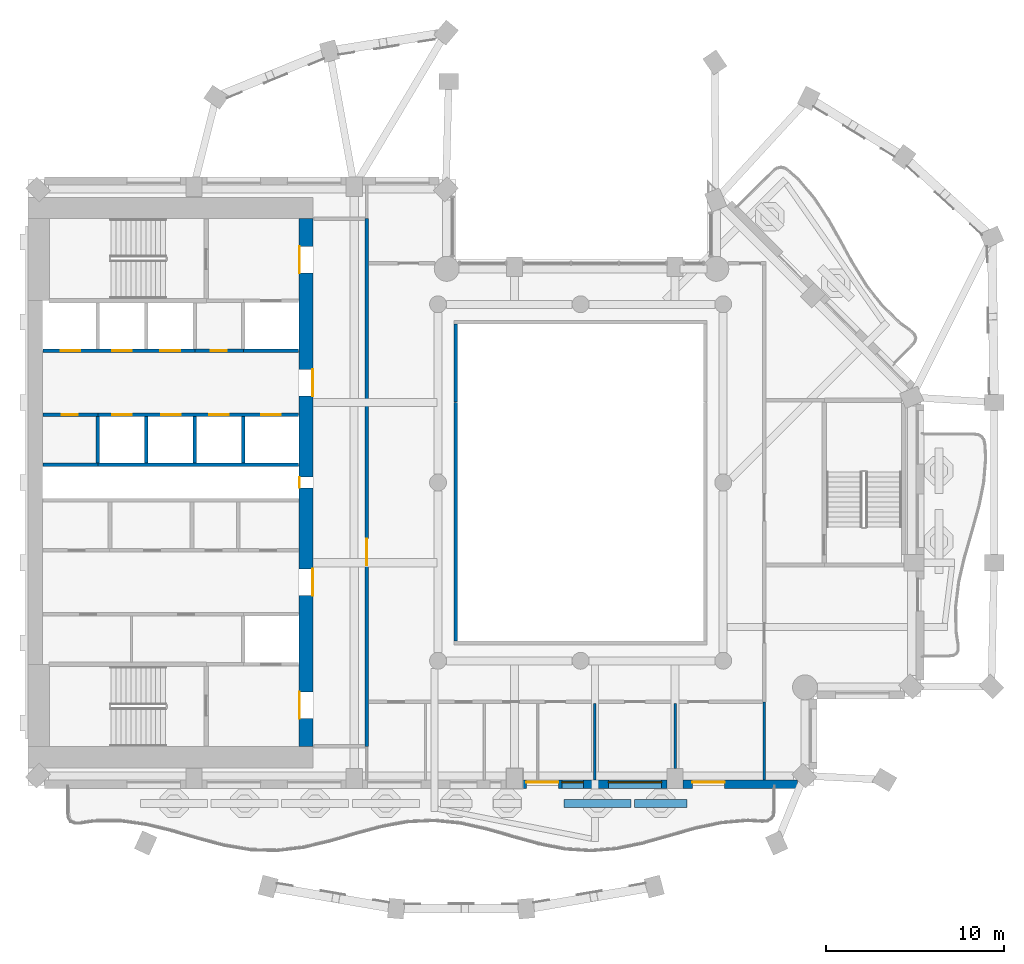
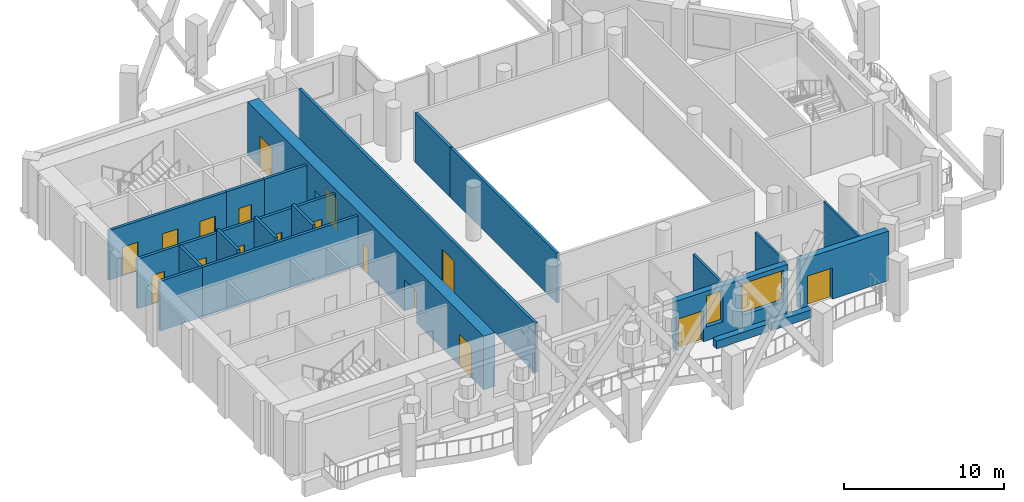
# One storey, part 5 of 16: 22 walls, 17 doors, 2 windows, 19 openings.
"""IFC4 building model written with IfcOpenShell, lengths in metres."""

from ifc_helpers import new_model, si_unit, direction, frame, frame_2d, origin, place, context, subcontext, project, spatial, rectangle, extrude, material, layer, layer_set, type_object, element, fill, save


model = new_model("IFC4")

# Units and contexts
model_context = context("Model", 3, precision=1e-05, world=origin(), true_north=direction((0.0, 1.0)))
body_context = subcontext(model_context, "Body", "Model", "MODEL_VIEW")
ifc_project = project(units=[si_unit("LENGTHUNIT", "METRE"), si_unit("AREAUNIT", "SQUARE_METRE"), si_unit("VOLUMEUNIT", "CUBIC_METRE"), si_unit("PLANEANGLEUNIT", "RADIAN"), si_unit("MASSUNIT", "GRAM", prefix="KILO")], contexts=[model_context])

# Site, building, storey
site_placement = place(None, origin())
site = spatial("IfcSite", under=ifc_project, at=site_placement, CompositionType="ELEMENT")
building_placement = place(site_placement, origin())
building = spatial("IfcBuilding", under=site, at=building_placement, Name="Cypress Arch Tower", CompositionType="ELEMENT")
storey_placement = place(building_placement, frame((0.0, 0.0, 230.199951171875)))
storey = spatial("IfcBuildingStorey", under=building, at=storey_placement, Name="L51", CompositionType="ELEMENT", Elevation=230.199951171875)

# Walls
ifc_material_1 = material(Name="Concrete C40/50, waterproofed", Category="concrete")
ifc_layer_1 = layer(ifc_material_1, 0.449951171875)
ifc_layer_set_1 = layer_set([ifc_layer_1], Name="Balcony planter wall PW450")
wall_type_1 = type_object("IfcWallType", Name="Balcony planter wall PW450", PredefinedType="SOLIDWALL", material=ifc_layer_set_1)
wall_1_placement = place(storey_placement, frame((0.070068359375, -18.0, 0.0), z_axis=(0.0, 0.0, 1.0), x_axis=(1.0, 0.0, 0.0)))
element("IfcWall", 1, at=wall_1_placement, inside=storey, type_object=wall_type_1, Name="Balcony planter wall L51-B01.7", PredefinedType="SOLIDWALL", context=body_context, shape_type="SweptSolid", body=[
    extrude(rectangle(XDim=3.760009765625, YDim=0.449951171875, at=frame_2d((1.8798828125, 0.0))), origin(), (0.0, 0.0, 1.0), 0.60009765625),
])
wall_2_placement = place(storey_placement, frame((4.030029296875, -18.0, 0.0), z_axis=(0.0, 0.0, 1.0), x_axis=(1.0, 0.0, 0.0)))
element("IfcWall", 2, at=wall_2_placement, inside=storey, type_object=wall_type_1, Name="Balcony planter wall L51-B01.8", PredefinedType="SOLIDWALL", context=body_context, shape_type="SweptSolid", body=[
    extrude(rectangle(XDim=2.945068359375, YDim=0.449951171875, at=frame_2d((1.47265625, 0.0))), origin(), (0.0, 0.0, 1.0), 0.60009765625),
])

# Wall, openings, door, windows
ifc_material_2 = material(Name="Brick (red buff blend)", Category="masonry")
ifc_layer_2 = layer(ifc_material_2, 0.449951171875)
ifc_layer_set_2 = layer_set([ifc_layer_2], Name="Brick pier and spandrel wall BW450")
wall_type_2 = type_object("IfcWallType", Name="Brick pier and spandrel wall BW450", PredefinedType="SOLIDWALL", material=ifc_layer_set_2)
wall_3_placement = place(storey_placement, frame((-2.25, -16.925048828125, 0.0), z_axis=(0.0, 0.0, 1.0), x_axis=(1.0, 0.0, 0.0)))
wall_3 = element("IfcWall", 3, at=wall_3_placement, inside=storey, type_object=wall_type_2, Name="Brick wall L51 B01.3", PredefinedType="SOLIDWALL", context=body_context, shape_type="SweptSolid", body=[
    extrude(rectangle(XDim=8.10009765625, YDim=0.449951171875, at=frame_2d((4.050048828125, 0.0))), origin(), (0.0, 0.0, 1.0), 3.800048828125),
])
opening_1_placement = place(wall_3_placement, frame((0.199951171875, 0.0, 0.0)))
opening_1 = element("IfcOpeningElement", 4, at=opening_1_placement, cuts=wall_3, Name="Opening D-L51-B01.3.1", PredefinedType="OPENING", context=body_context, shape_type="SweptSolid", body=[
    extrude(rectangle(XDim=1.800048828125, YDim=2.39990234375, at=frame_2d((0.89990234375, 1.199951171875))), frame((0.0, 0.23486328125, 0.0), z_axis=(0.0, -1.0, 0.0), x_axis=(1.0, 0.0, 0.0)), (0.0, 0.0, 1.0), 0.469970703125),
])
opening_2_placement = place(wall_3_placement, frame((2.199951171875, 0.0, 1.050048828125)))
opening_2 = element("IfcOpeningElement", 5, at=opening_2_placement, cuts=wall_3, Name="Opening W120OD", PredefinedType="OPENING", context=body_context, shape_type="SweptSolid", body=[
    extrude(rectangle(XDim=1.199951171875, YDim=2.39990234375, at=frame_2d((0.60009765625, 1.199951171875))), frame((0.0, 0.23486328125, 0.0), z_axis=(0.0, -1.0, 0.0), x_axis=(1.0, 0.0, 0.0)), (0.0, 0.0, 1.0), 0.469970703125),
])
opening_3_placement = place(wall_3_placement, frame((4.800048828125, 0.0, 1.050048828125)))
opening_3 = element("IfcOpeningElement", 6, at=opening_3_placement, cuts=wall_3, Name="Opening W300OD", PredefinedType="OPENING", context=body_context, shape_type="SweptSolid", body=[
    extrude(rectangle(XDim=3.0, YDim=2.39990234375, at=frame_2d((1.5, 1.199951171875))), frame((0.0, 0.23486328125, 0.0), z_axis=(0.0, -1.0, 0.0), x_axis=(1.0, 0.0, 0.0)), (0.0, 0.0, 1.0), 0.469970703125),
])
ifc_material_3 = material(Name="Anodised aluminium, bronze finish, laminated low-emissivity double glazing, large-missile impact rated", Category="aluminium")
door_type_1 = type_object("IfcDoorType", Name="Balcony sliding door 1800x2400", OperationType="SLIDING_TO_LEFT", PredefinedType="DOOR", material=ifc_material_3)
door_1_placement = place(opening_1_placement, origin())
door_1 = element("IfcDoor", 7, at=door_1_placement, inside=storey, type_object=door_type_1, Name="Balcony door L51 B01.3.1", OperationType="SLIDING_TO_LEFT", OverallHeight=2.39990234375, OverallWidth=1.800048828125, PredefinedType="DOOR", context=body_context, shape_type="SweptSolid", body=[
    extrude(rectangle(XDim=1.800048828125, YDim=2.39990234375, at=frame_2d((0.89990234375, 1.199951171875))), frame((0.0, 0.1298828125, 0.0), z_axis=(0.0, -1.0, 0.0), x_axis=(1.0, 0.0, 0.0)), (0.0, 0.0, 1.0), 0.050048828125),
])
fill(opening_1, door_1)
ifc_material_4 = material(Name="Anodised aluminium, bronze finish, laminated low-emissivity double glazing, large-missile impact rated", Category="aluminium")
window_type_1 = type_object("IfcWindowType", Name="Window Office 1200x2400 debris-rated", PartitioningType="SINGLE_PANEL", PredefinedType="WINDOW", material=ifc_material_4)
window_1_placement = place(opening_2_placement, origin())
window_1 = element("IfcWindow", 8, at=window_1_placement, inside=storey, type_object=window_type_1, Name="Window L51 B01.3.1", OverallHeight=2.39990234375, OverallWidth=1.199951171875, PartitioningType="SINGLE_PANEL", PredefinedType="WINDOW", context=body_context, shape_type="SweptSolid", body=[
    extrude(rectangle(XDim=1.199951171875, YDim=2.39990234375, at=frame_2d((0.60009765625, 1.199951171875))), frame((0.0, 0.135009765625, 0.0), z_axis=(0.0, -1.0, 0.0), x_axis=(1.0, 0.0, 0.0)), (0.0, 0.0, 1.0), 0.06005859375),
])
fill(opening_2, window_1)
ifc_material_5 = material(Name="Anodised aluminium, bronze finish, laminated low-emissivity double glazing, large-missile impact rated", Category="aluminium")
window_type_2 = type_object("IfcWindowType", Name="Window Office 3000x2400 debris-rated", PartitioningType="SINGLE_PANEL", PredefinedType="WINDOW", material=ifc_material_5)
window_2_placement = place(opening_3_placement, origin())
window_2 = element("IfcWindow", 9, at=window_2_placement, inside=storey, type_object=window_type_2, Name="Window L51 B01.3.2", OverallHeight=2.39990234375, OverallWidth=3.0, PartitioningType="SINGLE_PANEL", PredefinedType="WINDOW", context=body_context, shape_type="SweptSolid", body=[
    extrude(rectangle(XDim=3.0, YDim=2.39990234375, at=frame_2d((1.5, 1.199951171875))), frame((0.0, 0.135009765625, 0.0), z_axis=(0.0, -1.0, 0.0), x_axis=(1.0, 0.0, 0.0)), (0.0, 0.0, 1.0), 0.06005859375),
])
fill(opening_3, window_2)

# Wall, opening, door
wall_4_placement = place(storey_placement, frame((6.75, -16.925048828125, 0.0), z_axis=(0.0, 0.0, 1.0), x_axis=(1.0, 0.0, 0.0)))
wall_4 = element("IfcWall", 10, at=wall_4_placement, inside=storey, type_object=wall_type_2, Name="Brick wall L51 B01.4", PredefinedType="SOLIDWALL", context=body_context, shape_type="SweptSolid", body=[
    extrude(rectangle(XDim=6.41357421875, YDim=0.449951171875, at=frame_2d((3.206787109375, 0.0))), origin(), (0.0, 0.0, 1.0), 3.800048828125),
])
opening_4_placement = place(wall_4_placement, frame((0.52490234375, 0.0, 0.0)))
opening_4 = element("IfcOpeningElement", 11, at=opening_4_placement, cuts=wall_4, Name="Opening D-L51-B01.4.1", PredefinedType="OPENING", context=body_context, shape_type="SweptSolid", body=[
    extrude(rectangle(XDim=1.800048828125, YDim=2.39990234375, at=frame_2d((0.89990234375, 1.199951171875))), frame((0.0, 0.23486328125, 0.0), z_axis=(0.0, -1.0, 0.0), x_axis=(1.0, 0.0, 0.0)), (0.0, 0.0, 1.0), 0.469970703125),
])
door_2_placement = place(opening_4_placement, origin())
door_2 = element("IfcDoor", 12, at=door_2_placement, inside=storey, type_object=door_type_1, Name="Balcony door L51 B01.4.1", OperationType="SLIDING_TO_LEFT", OverallHeight=2.39990234375, OverallWidth=1.800048828125, PredefinedType="DOOR", context=body_context, shape_type="SweptSolid", body=[
    extrude(rectangle(XDim=1.800048828125, YDim=2.39990234375, at=frame_2d((0.89990234375, 1.199951171875))), frame((0.0, 0.1298828125, 0.0), z_axis=(0.0, -1.0, 0.0), x_axis=(1.0, 0.0, 0.0)), (0.0, 0.0, 1.0), 0.050048828125),
])
fill(opening_4, door_2)

# Wall, openings, doors
ifc_material_6 = material(Name="Concrete C70/85", Category="concrete")
ifc_layer_3 = layer(ifc_material_6, 0.800048828125)
ifc_layer_set_3 = layer_set([ifc_layer_3], Name="Core wall CW800 C70/85")
wall_type_3 = type_object("IfcWallType", Name="Core wall CW800 C70/85", PredefinedType="SHEAR", material=ifc_layer_set_3)
wall_5_placement = place(storey_placement, frame((-14.39990234375, -14.800048828125, 0.0), z_axis=(0.0, 0.0, 1.0), x_axis=(0.0, 1.0, 0.0)))
wall_5 = element("IfcWall", 13, at=wall_5_placement, inside=storey, type_object=wall_type_3, Name="Core wall", PredefinedType="SHEAR", context=body_context, shape_type="SweptSolid", body=[
    extrude(rectangle(XDim=29.60009765625, YDim=0.800048828125, at=frame_2d((14.800048828125, 0.0))), origin(), (0.0, 0.0, 1.0), 4.10009765625),
])
opening_5_placement = place(wall_5_placement, frame((1.550048828125, 0.0, 0.0)))
opening_5 = element("IfcOpeningElement", 14, at=opening_5_placement, cuts=wall_5, Name="Opening D07", PredefinedType="OPENING", context=body_context, shape_type="SweptSolid", body=[
    extrude(rectangle(XDim=1.5, YDim=2.39990234375, at=frame_2d((0.75, 1.199951171875))), frame((0.0, 0.409912109375, 0.0), z_axis=(0.0, -1.0, 0.0), x_axis=(1.0, 0.0, 0.0)), (0.0, 0.0, 1.0), 0.820068359375),
])
opening_6_placement = place(wall_5_placement, frame((26.550048828125, 0.0, 0.0)))
opening_6 = element("IfcOpeningElement", 15, at=opening_6_placement, cuts=wall_5, Name="Opening D07", PredefinedType="OPENING", context=body_context, shape_type="SweptSolid", body=[
    extrude(rectangle(XDim=1.5, YDim=2.39990234375, at=frame_2d((0.75, 1.199951171875))), frame((0.0, 0.409912109375, 0.0), z_axis=(0.0, -1.0, 0.0), x_axis=(1.0, 0.0, 0.0)), (0.0, 0.0, 1.0), 0.820068359375),
])
opening_7_placement = place(wall_5_placement, frame((8.449951171875, 0.0, 0.0)))
opening_7 = element("IfcOpeningElement", 16, at=opening_7_placement, cuts=wall_5, Name="Opening D07", PredefinedType="OPENING", context=body_context, shape_type="SweptSolid", body=[
    extrude(rectangle(XDim=1.5, YDim=2.39990234375, at=frame_2d((0.75, 1.199951171875))), frame((0.0, 0.409912109375, 0.0), z_axis=(0.0, -1.0, 0.0), x_axis=(1.0, 0.0, 0.0)), (0.0, 0.0, 1.0), 0.820068359375),
])
opening_8_placement = place(wall_5_placement, frame((19.64990234375, 0.0, 0.0)))
opening_8 = element("IfcOpeningElement", 17, at=opening_8_placement, cuts=wall_5, Name="Opening D07", PredefinedType="OPENING", context=body_context, shape_type="SweptSolid", body=[
    extrude(rectangle(XDim=1.5, YDim=2.39990234375, at=frame_2d((0.75, 1.199951171875))), frame((0.0, 0.409912109375, 0.0), z_axis=(0.0, -1.0, 0.0), x_axis=(1.0, 0.0, 0.0)), (0.0, 0.0, 1.0), 0.820068359375),
])
opening_9_placement = place(wall_5_placement, frame((14.5, 0.0, 0.0)))
opening_9 = element("IfcOpeningElement", 18, at=opening_9_placement, cuts=wall_5, Name="Opening D08", PredefinedType="OPENING", context=body_context, shape_type="SweptSolid", body=[
    extrude(rectangle(XDim=0.60009765625, YDim=2.0, at=frame_2d((0.300048828125, 1.0))), frame((0.0, 0.409912109375, 0.0), z_axis=(0.0, -1.0, 0.0), x_axis=(1.0, 0.0, 0.0)), (0.0, 0.0, 1.0), 0.820068359375),
])
ifc_material_7 = material(Name="Steel framed glazed door, fire resisting", Category="steel")
door_type_2 = type_object("IfcDoorType", Name="Lobby door D07 1500x2400", OperationType="DOUBLE_DOOR_SINGLE_SWING", PredefinedType="DOOR", material=ifc_material_7)
door_3_placement = place(opening_5_placement, origin())
door_3 = element("IfcDoor", 19, at=door_3_placement, inside=storey, type_object=door_type_2, Name="Lobby door", OperationType="DOUBLE_DOOR_SINGLE_SWING", OverallHeight=2.39990234375, OverallWidth=1.5, PredefinedType="DOOR", context=body_context, shape_type="SweptSolid", body=[
    extrude(rectangle(XDim=1.5, YDim=2.39990234375, at=frame_2d((0.75, 1.199951171875))), frame((0.0, 0.39501953125, 0.0), z_axis=(0.0, -1.0, 0.0), x_axis=(1.0, 0.0, 0.0)), (0.0, 0.0, 1.0), 0.050048828125),
])
fill(opening_5, door_3)
door_4_placement = place(opening_6_placement, origin())
door_4 = element("IfcDoor", 20, at=door_4_placement, inside=storey, type_object=door_type_2, Name="Lobby door", OperationType="DOUBLE_DOOR_SINGLE_SWING", OverallHeight=2.39990234375, OverallWidth=1.5, PredefinedType="DOOR", context=body_context, shape_type="SweptSolid", body=[
    extrude(rectangle(XDim=1.5, YDim=2.39990234375, at=frame_2d((0.75, 1.199951171875))), frame((0.0, 0.39501953125, 0.0), z_axis=(0.0, -1.0, 0.0), x_axis=(1.0, 0.0, 0.0)), (0.0, 0.0, 1.0), 0.050048828125),
])
fill(opening_6, door_4)
door_5_placement = place(opening_7_placement, origin())
door_5 = element("IfcDoor", 21, at=door_5_placement, inside=storey, type_object=door_type_2, Name="Lobby door", OperationType="DOUBLE_DOOR_SINGLE_SWING", OverallHeight=2.39990234375, OverallWidth=1.5, PredefinedType="DOOR", context=body_context, shape_type="SweptSolid", body=[
    extrude(rectangle(XDim=1.5, YDim=2.39990234375, at=frame_2d((0.75, 1.199951171875))), frame((0.0, -0.34521484375, 0.0), z_axis=(0.0, -1.0, 0.0), x_axis=(1.0, 0.0, 0.0)), (0.0, 0.0, 1.0), 0.050048828125),
])
fill(opening_7, door_5)
door_6_placement = place(opening_8_placement, origin())
door_6 = element("IfcDoor", 22, at=door_6_placement, inside=storey, type_object=door_type_2, Name="Lobby door", OperationType="DOUBLE_DOOR_SINGLE_SWING", OverallHeight=2.39990234375, OverallWidth=1.5, PredefinedType="DOOR", context=body_context, shape_type="SweptSolid", body=[
    extrude(rectangle(XDim=1.5, YDim=2.39990234375, at=frame_2d((0.75, 1.199951171875))), frame((0.0, -0.34521484375, 0.0), z_axis=(0.0, -1.0, 0.0), x_axis=(1.0, 0.0, 0.0)), (0.0, 0.0, 1.0), 0.050048828125),
])
fill(opening_8, door_6)
ifc_material_8 = material(Name="Steel access door, fire resisting", Category="steel")
door_type_3 = type_object("IfcDoorType", Name="Riser access door D08 600x2000", OperationType="SINGLE_SWING_LEFT", PredefinedType="DOOR", material=ifc_material_8)
door_7_placement = place(opening_9_placement, origin())
door_7 = element("IfcDoor", 23, at=door_7_placement, inside=storey, type_object=door_type_3, Name="Riser access door", OperationType="SINGLE_SWING_RIGHT", OverallHeight=2.0, OverallWidth=0.60009765625, PredefinedType="DOOR", context=body_context, shape_type="SweptSolid", body=[
    extrude(rectangle(XDim=0.60009765625, YDim=2.0, at=frame_2d((0.300048828125, 1.0))), frame((0.0, 0.39501953125, 0.0), z_axis=(0.0, -1.0, 0.0), x_axis=(1.0, 0.0, 0.0)), (0.0, 0.0, 1.0), 0.050048828125),
])
fill(opening_9, door_7)

# Wall, opening, door
ifc_material_9 = material(Name="Concrete blockwork, plastered, rated", Category="masonry")
ifc_layer_4 = layer(ifc_material_9, 0.199951171875)
ifc_layer_set_4 = layer_set([ifc_layer_4], Name="Corridor wall FW200")
wall_type_4 = type_object("IfcWallType", Name="Corridor wall FW200", PredefinedType="PARTITIONING", material=ifc_layer_set_4)
wall_6_placement = place(storey_placement, frame((-29.169921875, 3.800048828125, 0.0), z_axis=(0.0, 0.0, 1.0), x_axis=(1.0, 0.0, 0.0)))
wall_6 = element("IfcWall", 24, at=wall_6_placement, inside=storey, type_object=wall_type_4, Name="Corridor wall", PredefinedType="PARTITIONING", context=body_context, shape_type="SweptSolid", body=[
    extrude(rectangle(XDim=3.08984375, YDim=0.199951171875, at=frame_2d((1.544921875, 0.0))), origin(), (0.0, 0.0, 1.0), 3.800048828125),
])
opening_10_placement = place(wall_6_placement, frame((1.050048828125, 0.0, 0.0)))
opening_10 = element("IfcOpeningElement", 25, at=opening_10_placement, cuts=wall_6, Name="Opening D05", PredefinedType="OPENING", context=body_context, shape_type="SweptSolid", body=[
    extrude(rectangle(XDim=0.89990234375, YDim=2.199951171875, at=frame_2d((0.449951171875, 1.10009765625))), frame((0.0, 0.10986328125, 0.0), z_axis=(0.0, -1.0, 0.0), x_axis=(1.0, 0.0, 0.0)), (0.0, 0.0, 1.0), 0.219970703125),
])
ifc_material_10 = material(Name="Timber flush door", Category="wood")
door_type_4 = type_object("IfcDoorType", Name="Service door D05 900x2200", OperationType="SINGLE_SWING_LEFT", PredefinedType="DOOR", material=ifc_material_10)
door_8_placement = place(opening_10_placement, origin())
door_8 = element("IfcDoor", 26, at=door_8_placement, inside=storey, type_object=door_type_4, Name="Service door", OperationType="SINGLE_SWING_LEFT", OverallHeight=2.199951171875, OverallWidth=0.89990234375, PredefinedType="DOOR", context=body_context, shape_type="SweptSolid", body=[
    extrude(rectangle(XDim=0.89990234375, YDim=2.199951171875, at=frame_2d((0.449951171875, 1.10009765625))), frame((0.0, 0.02490234375, 0.0), z_axis=(0.0, -1.0, 0.0), x_axis=(1.0, 0.0, 0.0)), (0.0, 0.0, 1.0), 0.050048828125),
])
fill(opening_10, door_8)

wall_7_placement = place(storey_placement, frame((-20.639892578125, 7.39990234375, 0.0), z_axis=(0.0, 0.0, 1.0), x_axis=(1.0, 0.0, 0.0)))
wall_7 = element("IfcWall", 27, at=wall_7_placement, inside=storey, type_object=wall_type_4, Name="Corridor wall", PredefinedType="PARTITIONING", context=body_context, shape_type="SweptSolid", body=[
    extrude(rectangle(XDim=2.719970703125, YDim=0.199951171875, at=frame_2d((1.35986328125, 0.0))), origin(), (0.0, 0.0, 1.0), 3.800048828125),
])
opening_11_placement = place(wall_7_placement, frame((0.89990234375, 0.0, 0.0)))
opening_11 = element("IfcOpeningElement", 28, at=opening_11_placement, cuts=wall_7, Name="Opening D05", PredefinedType="OPENING", context=body_context, shape_type="SweptSolid", body=[
    extrude(rectangle(XDim=0.89990234375, YDim=2.199951171875, at=frame_2d((0.449951171875, 1.10009765625))), frame((0.0, 0.10986328125, 0.0), z_axis=(0.0, -1.0, 0.0), x_axis=(1.0, 0.0, 0.0)), (0.0, 0.0, 1.0), 0.219970703125),
])
door_9_placement = place(opening_11_placement, origin())
door_9 = element("IfcDoor", 29, at=door_9_placement, inside=storey, type_object=door_type_4, Name="Service door", OperationType="SINGLE_SWING_LEFT", OverallHeight=2.199951171875, OverallWidth=0.89990234375, PredefinedType="DOOR", context=body_context, shape_type="SweptSolid", body=[
    extrude(rectangle(XDim=0.89990234375, YDim=2.199951171875, at=frame_2d((0.449951171875, 1.10009765625))), frame((0.0, 0.02490234375, 0.0), z_axis=(0.0, -1.0, 0.0), x_axis=(1.0, 0.0, 0.0)), (0.0, 0.0, 1.0), 0.050048828125),
])
fill(opening_11, door_9)

wall_8_placement = place(storey_placement, frame((-11.0, -14.800048828125, 0.0), z_axis=(0.0, 0.0, 1.0), x_axis=(0.0, 1.0, 0.0)))
wall_8 = element("IfcWall", 30, at=wall_8_placement, inside=storey, type_object=wall_type_4, Name="Corridor wall", PredefinedType="PARTITIONING", context=body_context, shape_type="SweptSolid", body=[
    extrude(rectangle(XDim=29.60009765625, YDim=0.199951171875, at=frame_2d((14.800048828125, 0.0))), origin(), (0.0, 0.0, 1.0), 3.800048828125),
])
opening_12_placement = place(wall_8_placement, frame((10.14990234375, 0.0, 0.0)))
opening_12 = element("IfcOpeningElement", 31, at=opening_12_placement, cuts=wall_8, Name="Opening D07", PredefinedType="OPENING", context=body_context, shape_type="SweptSolid", body=[
    extrude(rectangle(XDim=1.5, YDim=2.39990234375, at=frame_2d((0.75, 1.199951171875))), frame((0.0, 0.10986328125, 0.0), z_axis=(0.0, -1.0, 0.0), x_axis=(1.0, 0.0, 0.0)), (0.0, 0.0, 1.0), 0.219970703125),
])
door_10_placement = place(opening_12_placement, origin())
door_10 = element("IfcDoor", 32, at=door_10_placement, inside=storey, type_object=door_type_2, Name="Lobby door", OperationType="DOUBLE_DOOR_SINGLE_SWING", OverallHeight=2.39990234375, OverallWidth=1.5, PredefinedType="DOOR", context=body_context, shape_type="SweptSolid", body=[
    extrude(rectangle(XDim=1.5, YDim=2.39990234375, at=frame_2d((0.75, 1.199951171875))), frame((0.0, 0.02490234375, 0.0), z_axis=(0.0, -1.0, 0.0), x_axis=(1.0, 0.0, 0.0)), (0.0, 0.0, 1.0), 0.050048828125),
])
fill(opening_12, door_10)

# Walls
wall_9_placement = place(storey_placement, frame((-6.0, -8.89990234375, 0.0), z_axis=(0.0, 0.0, 1.0), x_axis=(0.0, 1.0, 0.0)))
element("IfcWall", 33, at=wall_9_placement, inside=storey, type_object=wall_type_4, Name="Corridor wall", PredefinedType="PARTITIONING", context=body_context, shape_type="SweptSolid", body=[
    extrude(rectangle(XDim=13.3798828125, YDim=0.199951171875, at=frame_2d((6.68994140625, 0.0))), origin(), (0.0, 0.0, 1.0), 3.800048828125),
])
wall_10_placement = place(storey_placement, frame((-6.0, 4.52001953125, 0.0), z_axis=(0.0, 0.0, 1.0), x_axis=(0.0, 1.0, 0.0)))
element("IfcWall", 34, at=wall_10_placement, inside=storey, type_object=wall_type_4, Name="Corridor wall", PredefinedType="PARTITIONING", context=body_context, shape_type="SweptSolid", body=[
    extrude(rectangle(XDim=4.3798828125, YDim=0.199951171875, at=frame_2d((2.18994140625, 0.0))), origin(), (0.0, 0.0, 1.0), 3.800048828125),
])
ifc_material_11 = material(Name="Blockwork, plastered both sides", Category="masonry")
ifc_layer_5 = layer(ifc_material_11, 0.14990234375)
ifc_layer_set_5 = layer_set([ifc_layer_5], Name="Partition PW150")
wall_type_5 = type_object("IfcWallType", Name="Partition PW150", PredefinedType="PARTITIONING", material=ifc_layer_set_5)
wall_11_placement = place(storey_placement, frame((1.800048828125, -16.699951171875, 0.0), z_axis=(0.0, 0.0, 1.0), x_axis=(0.0, 1.0, 0.0)))
element("IfcWall", 35, at=wall_11_placement, inside=storey, type_object=wall_type_5, Name="Partition", PredefinedType="PARTITIONING", context=body_context, shape_type="SweptSolid", body=[
    extrude(rectangle(XDim=4.300048828125, YDim=0.14990234375, at=frame_2d((2.14990234375, 0.0))), origin(), (0.0, 0.0, 1.0), 3.150146484375),
])
wall_12_placement = place(storey_placement, frame((6.300048828125, -16.050048828125, 0.0), z_axis=(0.0, 0.0, 1.0), x_axis=(0.0, 1.0, 0.0)))
element("IfcWall", 36, at=wall_12_placement, inside=storey, type_object=wall_type_5, Name="Partition", PredefinedType="PARTITIONING", context=body_context, shape_type="SweptSolid", body=[
    extrude(rectangle(XDim=3.650146484375, YDim=0.14990234375, at=frame_2d((1.8251953125, 0.0))), origin(), (0.0, 0.0, 1.0), 3.25),
])
wall_13_placement = place(storey_placement, frame((11.300048828125, -16.699951171875, 0.0), z_axis=(0.0, 0.0, 1.0), x_axis=(0.0, 1.0, 0.0)))
element("IfcWall", 37, at=wall_13_placement, inside=storey, type_object=wall_type_5, Name="Partition", PredefinedType="PARTITIONING", context=body_context, shape_type="SweptSolid", body=[
    extrude(rectangle(XDim=4.39990234375, YDim=0.14990234375, at=frame_2d((2.199951171875, 0.0))), origin(), (0.0, 0.0, 1.0), 3.800048828125),
])
ifc_material_12 = material(Name="Reinforced blockwork, plastered, rated", Category="masonry")
ifc_layer_6 = layer(ifc_material_12, 0.199951171875)
ifc_layer_set_6 = layer_set([ifc_layer_6], Name="Plant and riser wall PL200")
wall_type_6 = type_object("IfcWallType", Name="Plant and riser wall PL200", PredefinedType="PARTITIONING", material=ifc_layer_set_6)
wall_14_placement = place(storey_placement, frame((-29.169921875, 1.0, 0.0), z_axis=(0.0, 0.0, 1.0), x_axis=(1.0, 0.0, 0.0)))
element("IfcWall", 38, at=wall_14_placement, inside=storey, type_object=wall_type_6, Name="Plant and riser wall", PredefinedType="PARTITIONING", context=body_context, shape_type="SweptSolid", body=[
    extrude(rectangle(XDim=3.08984375, YDim=0.199951171875, at=frame_2d((1.544921875, 0.0))), origin(), (0.0, 0.0, 1.0), 3.800048828125),
])

# Wall, openings, doors
ifc_material_13 = material(Name="Concrete C50/60", Category="concrete")
ifc_layer_7 = layer(ifc_material_13, 0.199951171875)
ifc_layer_set_7 = layer_set([ifc_layer_7], Name="Shaft wall SH200")
wall_type_7 = type_object("IfcWallType", Name="Shaft wall SH200", PredefinedType="SHEAR", material=ifc_layer_set_7)
wall_15_placement = place(storey_placement, frame((-29.169921875, 7.39990234375, 0.0), z_axis=(0.0, 0.0, 1.0), x_axis=(1.0, 0.0, 0.0)))
wall_15 = element("IfcWall", 39, at=wall_15_placement, inside=storey, type_object=wall_type_7, Name="Shaft wall", PredefinedType="SHEAR", context=body_context, shape_type="SweptSolid", body=[
    extrude(rectangle(XDim=8.530029296875, YDim=0.199951171875, at=frame_2d((4.26513671875, 0.0))), origin(), (0.0, 0.0, 1.0), 3.800048828125),
])
opening_13_placement = place(wall_15_placement, frame((1.0, 0.0, 0.0)))
opening_13 = element("IfcOpeningElement", 40, at=opening_13_placement, cuts=wall_15, Name="Opening LD-HR5", PredefinedType="OPENING", context=body_context, shape_type="SweptSolid", body=[
    extrude(rectangle(XDim=1.10009765625, YDim=2.199951171875, at=frame_2d((0.550048828125, 1.10009765625))), frame((0.0, 0.10986328125, 0.0), z_axis=(0.0, -1.0, 0.0), x_axis=(1.0, 0.0, 0.0)), (0.0, 0.0, 1.0), 0.219970703125),
])
opening_14_placement = place(wall_15_placement, frame((3.89990234375, 0.0, 0.0)))
opening_14 = element("IfcOpeningElement", 41, at=opening_14_placement, cuts=wall_15, Name="Opening LD-HR6", PredefinedType="OPENING", context=body_context, shape_type="SweptSolid", body=[
    extrude(rectangle(XDim=1.10009765625, YDim=2.199951171875, at=frame_2d((0.550048828125, 1.10009765625))), frame((0.0, 0.10986328125, 0.0), z_axis=(0.0, -1.0, 0.0), x_axis=(1.0, 0.0, 0.0)), (0.0, 0.0, 1.0), 0.219970703125),
])
opening_15_placement = place(wall_15_placement, frame((6.60009765625, 0.0, 0.0)))
opening_15 = element("IfcOpeningElement", 42, at=opening_15_placement, cuts=wall_15, Name="Opening LD-HR7", PredefinedType="OPENING", context=body_context, shape_type="SweptSolid", body=[
    extrude(rectangle(XDim=1.10009765625, YDim=2.199951171875, at=frame_2d((0.550048828125, 1.10009765625))), frame((0.0, 0.10986328125, 0.0), z_axis=(0.0, -1.0, 0.0), x_axis=(1.0, 0.0, 0.0)), (0.0, 0.0, 1.0), 0.219970703125),
])
ifc_material_14 = material(Name="Stainless steel centre-opening landing door, rated", Category="steel")
door_type_5 = type_object("IfcDoorType", Name="Lift landing door LD 1100x2200", OperationType="DOUBLE_DOOR_SLIDING", PredefinedType="DOOR", material=ifc_material_14)
door_11_placement = place(opening_13_placement, origin())
door_11 = element("IfcDoor", 43, at=door_11_placement, inside=storey, type_object=door_type_5, Name="Lift landing doors HR5", OperationType="DOUBLE_DOOR_SLIDING", OverallHeight=2.199951171875, OverallWidth=1.10009765625, PredefinedType="DOOR", context=body_context, shape_type="SweptSolid", body=[
    extrude(rectangle(XDim=1.10009765625, YDim=2.199951171875, at=frame_2d((0.550048828125, 1.10009765625))), frame((0.0, 0.02490234375, 0.0), z_axis=(0.0, -1.0, 0.0), x_axis=(1.0, 0.0, 0.0)), (0.0, 0.0, 1.0), 0.050048828125),
])
fill(opening_13, door_11)
door_12_placement = place(opening_14_placement, origin())
door_12 = element("IfcDoor", 44, at=door_12_placement, inside=storey, type_object=door_type_5, Name="Lift landing doors HR6", OperationType="DOUBLE_DOOR_SLIDING", OverallHeight=2.199951171875, OverallWidth=1.10009765625, PredefinedType="DOOR", context=body_context, shape_type="SweptSolid", body=[
    extrude(rectangle(XDim=1.10009765625, YDim=2.199951171875, at=frame_2d((0.550048828125, 1.10009765625))), frame((0.0, 0.02490234375, 0.0), z_axis=(0.0, -1.0, 0.0), x_axis=(1.0, 0.0, 0.0)), (0.0, 0.0, 1.0), 0.050048828125),
])
fill(opening_14, door_12)
door_13_placement = place(opening_15_placement, origin())
door_13 = element("IfcDoor", 45, at=door_13_placement, inside=storey, type_object=door_type_5, Name="Lift landing doors HR7", OperationType="DOUBLE_DOOR_SLIDING", OverallHeight=2.199951171875, OverallWidth=1.10009765625, PredefinedType="DOOR", context=body_context, shape_type="SweptSolid", body=[
    extrude(rectangle(XDim=1.10009765625, YDim=2.199951171875, at=frame_2d((0.550048828125, 1.10009765625))), frame((0.0, 0.02490234375, 0.0), z_axis=(0.0, -1.0, 0.0), x_axis=(1.0, 0.0, 0.0)), (0.0, 0.0, 1.0), 0.050048828125),
])
fill(opening_15, door_13)

# Walls
wall_16_placement = place(storey_placement, frame((-26.080078125, 1.10009765625, 0.0), z_axis=(0.0, 0.0, 1.0), x_axis=(0.0, 1.0, 0.0)))
element("IfcWall", 46, at=wall_16_placement, inside=storey, type_object=wall_type_7, Name="Shaft wall", PredefinedType="SHEAR", context=body_context, shape_type="SweptSolid", body=[
    extrude(rectangle(XDim=2.599853515625, YDim=0.199951171875, at=frame_2d((1.2998046875, 0.0))), origin(), (0.0, 0.0, 1.0), 3.800048828125),
])
wall_17_placement = place(storey_placement, frame((-26.080078125, 1.0, 0.0), z_axis=(0.0, 0.0, 1.0), x_axis=(1.0, 0.0, 0.0)))
element("IfcWall", 47, at=wall_17_placement, inside=storey, type_object=wall_type_7, Name="Shaft wall", PredefinedType="SHEAR", context=body_context, shape_type="SweptSolid", body=[
    extrude(rectangle(XDim=11.25, YDim=0.199951171875, at=frame_2d((5.625, 0.0))), origin(), (0.0, 0.0, 1.0), 3.800048828125),
])

# Wall, openings, doors
wall_18_placement = place(storey_placement, frame((-26.080078125, 3.800048828125, 0.0), z_axis=(0.0, 0.0, 1.0), x_axis=(1.0, 0.0, 0.0)))
wall_18 = element("IfcWall", 48, at=wall_18_placement, inside=storey, type_object=wall_type_7, Name="Shaft wall", PredefinedType="SHEAR", context=body_context, shape_type="SweptSolid", body=[
    extrude(rectangle(XDim=11.25, YDim=0.199951171875, at=frame_2d((5.625, 0.0))), origin(), (0.0, 0.0, 1.0), 3.800048828125),
])
opening_16_placement = place(wall_18_placement, frame((0.800048828125, 0.0, 0.0)))
opening_16 = element("IfcOpeningElement", 49, at=opening_16_placement, cuts=wall_18, Name="Opening LD-HR1", PredefinedType="OPENING", context=body_context, shape_type="SweptSolid", body=[
    extrude(rectangle(XDim=1.10009765625, YDim=2.199951171875, at=frame_2d((0.550048828125, 1.10009765625))), frame((0.0, 0.10986328125, 0.0), z_axis=(0.0, -1.0, 0.0), x_axis=(1.0, 0.0, 0.0)), (0.0, 0.0, 1.0), 0.219970703125),
])
opening_17_placement = place(wall_18_placement, frame((3.550048828125, 0.0, 0.0)))
opening_17 = element("IfcOpeningElement", 50, at=opening_17_placement, cuts=wall_18, Name="Opening LD-HR2", PredefinedType="OPENING", context=body_context, shape_type="SweptSolid", body=[
    extrude(rectangle(XDim=1.10009765625, YDim=2.199951171875, at=frame_2d((0.550048828125, 1.10009765625))), frame((0.0, 0.10986328125, 0.0), z_axis=(0.0, -1.0, 0.0), x_axis=(1.0, 0.0, 0.0)), (0.0, 0.0, 1.0), 0.219970703125),
])
opening_18_placement = place(wall_18_placement, frame((6.25, 0.0, 0.0)))
opening_18 = element("IfcOpeningElement", 51, at=opening_18_placement, cuts=wall_18, Name="Opening LD-HR3", PredefinedType="OPENING", context=body_context, shape_type="SweptSolid", body=[
    extrude(rectangle(XDim=1.10009765625, YDim=2.199951171875, at=frame_2d((0.550048828125, 1.10009765625))), frame((0.0, 0.10986328125, 0.0), z_axis=(0.0, -1.0, 0.0), x_axis=(1.0, 0.0, 0.0)), (0.0, 0.0, 1.0), 0.219970703125),
])
opening_19_placement = place(wall_18_placement, frame((9.14990234375, 0.0, 0.0)))
opening_19 = element("IfcOpeningElement", 52, at=opening_19_placement, cuts=wall_18, Name="Opening LD-HR4", PredefinedType="OPENING", context=body_context, shape_type="SweptSolid", body=[
    extrude(rectangle(XDim=1.10009765625, YDim=2.199951171875, at=frame_2d((0.550048828125, 1.10009765625))), frame((0.0, 0.10986328125, 0.0), z_axis=(0.0, -1.0, 0.0), x_axis=(1.0, 0.0, 0.0)), (0.0, 0.0, 1.0), 0.219970703125),
])
door_14_placement = place(opening_16_placement, origin())
door_14 = element("IfcDoor", 53, at=door_14_placement, inside=storey, type_object=door_type_5, Name="Lift landing doors HR1", OperationType="DOUBLE_DOOR_SLIDING", OverallHeight=2.199951171875, OverallWidth=1.10009765625, PredefinedType="DOOR", context=body_context, shape_type="SweptSolid", body=[
    extrude(rectangle(XDim=1.10009765625, YDim=2.199951171875, at=frame_2d((0.550048828125, 1.10009765625))), frame((0.0, 0.02490234375, 0.0), z_axis=(0.0, -1.0, 0.0), x_axis=(1.0, 0.0, 0.0)), (0.0, 0.0, 1.0), 0.050048828125),
])
fill(opening_16, door_14)
door_15_placement = place(opening_17_placement, origin())
door_15 = element("IfcDoor", 54, at=door_15_placement, inside=storey, type_object=door_type_5, Name="Lift landing doors HR2", OperationType="DOUBLE_DOOR_SLIDING", OverallHeight=2.199951171875, OverallWidth=1.10009765625, PredefinedType="DOOR", context=body_context, shape_type="SweptSolid", body=[
    extrude(rectangle(XDim=1.10009765625, YDim=2.199951171875, at=frame_2d((0.550048828125, 1.10009765625))), frame((0.0, 0.02490234375, 0.0), z_axis=(0.0, -1.0, 0.0), x_axis=(1.0, 0.0, 0.0)), (0.0, 0.0, 1.0), 0.050048828125),
])
fill(opening_17, door_15)
door_16_placement = place(opening_18_placement, origin())
door_16 = element("IfcDoor", 55, at=door_16_placement, inside=storey, type_object=door_type_5, Name="Lift landing doors HR3", OperationType="DOUBLE_DOOR_SLIDING", OverallHeight=2.199951171875, OverallWidth=1.10009765625, PredefinedType="DOOR", context=body_context, shape_type="SweptSolid", body=[
    extrude(rectangle(XDim=1.10009765625, YDim=2.199951171875, at=frame_2d((0.550048828125, 1.10009765625))), frame((0.0, 0.02490234375, 0.0), z_axis=(0.0, -1.0, 0.0), x_axis=(1.0, 0.0, 0.0)), (0.0, 0.0, 1.0), 0.050048828125),
])
fill(opening_18, door_16)
door_17_placement = place(opening_19_placement, origin())
door_17 = element("IfcDoor", 56, at=door_17_placement, inside=storey, type_object=door_type_5, Name="Lift landing doors HR4", OperationType="DOUBLE_DOOR_SLIDING", OverallHeight=2.199951171875, OverallWidth=1.10009765625, PredefinedType="DOOR", context=body_context, shape_type="SweptSolid", body=[
    extrude(rectangle(XDim=1.10009765625, YDim=2.199951171875, at=frame_2d((0.550048828125, 1.10009765625))), frame((0.0, 0.02490234375, 0.0), z_axis=(0.0, -1.0, 0.0), x_axis=(1.0, 0.0, 0.0)), (0.0, 0.0, 1.0), 0.050048828125),
])
fill(opening_19, door_17)

# Walls
for number, where, z_axis, x_axis, name in (
    (57, (-23.360107421875, 1.10009765625, 0.0), (0.0, 0.0, 1.0), (0.0, 1.0, 0.0), "Shaft wall"),
    (58, (-20.639892578125, 1.10009765625, 0.0), (0.0, 0.0, 1.0), (0.0, 1.0, 0.0), "Shaft wall"),
    (59, (-17.919921875, 1.10009765625, 0.0), (0.0, 0.0, 1.0), (0.0, 1.0, 0.0), "Shaft wall"),
):
    element("IfcWall", number, at=place(storey_placement, frame(where, z_axis=z_axis, x_axis=x_axis)), inside=storey, type_object=wall_type_7, Name=name, PredefinedType="SHEAR", context=body_context, shape_type="SweptSolid", body=[
        extrude(rectangle(XDim=2.599853515625, YDim=0.199951171875, at=frame_2d((1.2998046875, 0.0))), origin(), (0.0, 0.0, 1.0), 4.10009765625),
    ])
wall_19_placement = place(storey_placement, frame((-17.919921875, 7.39990234375, 0.0), z_axis=(0.0, 0.0, 1.0), x_axis=(1.0, 0.0, 0.0)))
element("IfcWall", 60, at=wall_19_placement, inside=storey, type_object=wall_type_7, Name="Shaft wall", PredefinedType="SHEAR", context=body_context, shape_type="SweptSolid", body=[
    extrude(rectangle(XDim=3.08984375, YDim=0.199951171875, at=frame_2d((1.544921875, 0.0))), origin(), (0.0, 0.0, 1.0), 3.800048828125),
])

save(model, "model.ifc")
